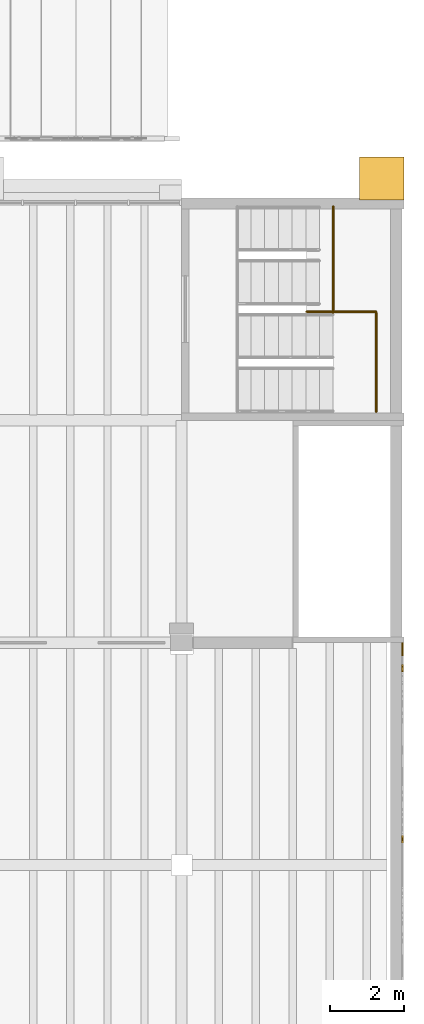
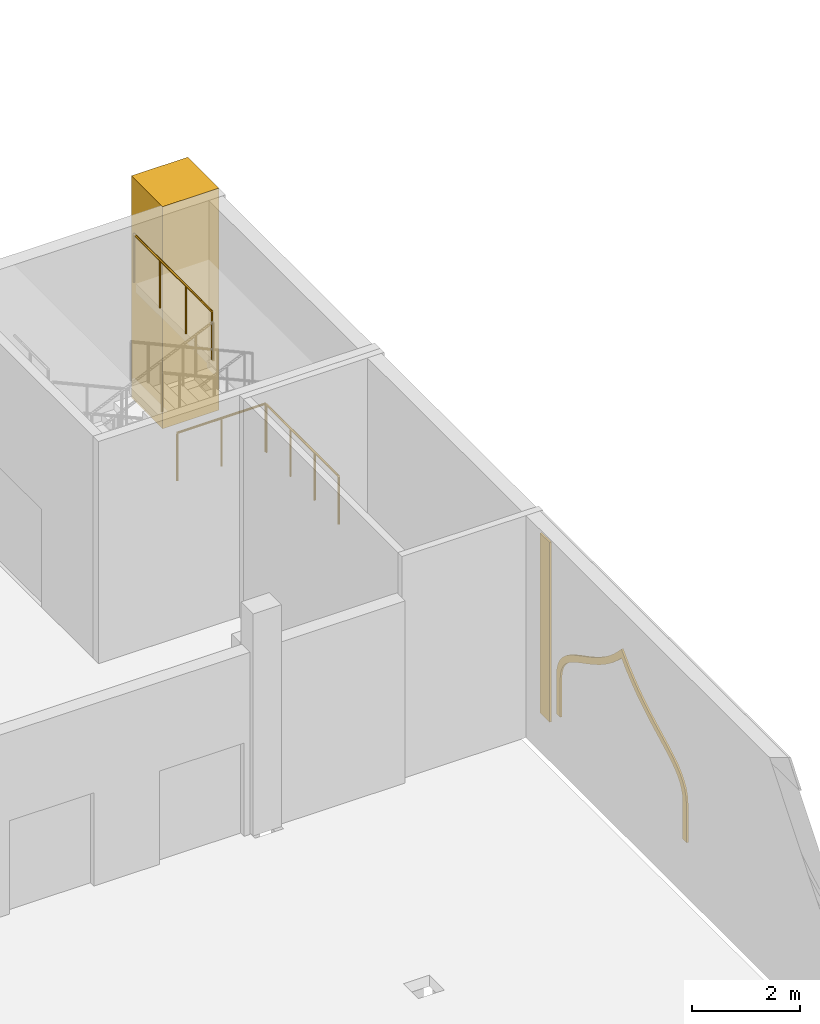
# One storey, part 68 of 80: 3 coverings, 3 railings.
"""IFC4 building model written with IfcOpenShell, lengths in metres."""

from ifc_helpers import new_model, si_unit, direction, frame, origin, origin_2d, place, context, subcontext, project, spatial, polyline, rectangle, circle, outline, extrude, material, layer, layer_set, type_object, element, save


model = new_model("IFC4")

# Units and contexts
model_context = context("Model", 3, precision=1e-05, world=origin(), true_north=direction((0.0, 1.0)))
body_context = subcontext(model_context, "Body", "Model", "MODEL_VIEW")
ifc_project = project(units=[si_unit("LENGTHUNIT", "METRE"), si_unit("AREAUNIT", "SQUARE_METRE"), si_unit("VOLUMEUNIT", "CUBIC_METRE"), si_unit("PLANEANGLEUNIT", "RADIAN"), si_unit("MASSUNIT", "GRAM", prefix="KILO")], contexts=[model_context])

# Site, building, storey
site_placement = place(None, origin())
site = spatial("IfcSite", under=ifc_project, at=site_placement, CompositionType="ELEMENT")
building_placement = place(site_placement, origin())
building = spatial("IfcBuilding", under=site, at=building_placement, Name="Saffron Lane Theatres", CompositionType="ELEMENT")
storey_placement = place(building_placement, frame((0.0, 0.0, 7.0)))
storey = spatial("IfcBuildingStorey", under=building, at=storey_placement, Name="L01", CompositionType="ELEMENT", Elevation=7.0)

# Coverings
ifc_material_1 = material(Name="Face brick cladding, pale buff", Category="masonry")
ifc_layer_1 = layer(ifc_material_1, 0.0400390625)
ifc_layer_set_1 = layer_set([ifc_layer_1], Name="Face brick cladding, pale buff")
covering_type_1 = type_object("IfcCoveringType", Name="EX-FACE BRICK SKIN PALE BUFF 40", PredefinedType="CLADDING", material=ifc_layer_set_1)
covering_1_placement = place(storey_placement, frame((65.9599609375, 17.824951171875, 0.4501953125), z_axis=(0.0, 0.0, 1.0), x_axis=(0.0, 1.0, 0.0)))
element("IfcCovering", 1, at=covering_1_placement, inside=storey, type_object=covering_type_1, Name="Face brick cladding, pale buff L01", PredefinedType="CLADDING", context=body_context, shape_type="SweptSolid", body=[
    extrude(rectangle(XDim=0.35009765625, YDim=0.0400390625, at=origin_2d()), origin(), (0.0, 0.0, 1.0), 4.050048828125),
])
ifc_material_2 = material(Name="Face brick cladding, pale buff", Category="masonry")
ifc_layer_2 = layer(ifc_material_2, 0.0400390625)
ifc_layer_set_2 = layer_set([ifc_layer_2], Name="Face brick cladding, pale buff")
covering_type_2 = type_object("IfcCoveringType", Name="EX-NICHE FRAME RING FACE BRICK PALE BUFF", PredefinedType="CLADDING", material=ifc_layer_set_2)
covering_2_placement = place(storey_placement, frame((65.93994140625, 12.60009765625, 1.653076171875), z_axis=(-1.0, 0.0, 0.0), x_axis=(0.0, 0.095154505176, 0.99546251569)))
element("IfcCovering", 2, at=covering_2_placement, inside=storey, type_object=covering_type_2, Name="Court wall niche ring", PredefinedType="CLADDING", context=body_context, shape_type="SweptSolid", body=[
    extrude(outline(polyline([(0.0, 0.0), (0.16677235193015855, 0.0), (0.32038519033646295, 0.031669323556456144), (0.4590908231729695, 0.0946845225504361), (0.5839400100746629, 0.18207805987853046), (0.6988087674501847, 0.29078164592633693), (0.8063811785848192, 0.41808617932202474), (0.9105332598872079, 0.5609233704511917), (1.0145852688434076, 0.715542293337932), (1.1229582587475542, 0.8820108542171596), (1.235986399755671, 1.0561278015551183), (1.3596293574845506, 1.2360971941389518), (1.4949396785753588, 1.4201016466816205), (1.6451107430752343, 1.605628628491308), (1.814574326315404, 1.7902924863151148), (2.003537721012975, 1.9711303639033744), (2.2729968091763255, 2.193569745407349), (2.0505574276723513, 2.4630288335707), (1.899274845327305, 2.6763902236703863), (1.7678637717255044, 2.889814158986441), (1.6555593682210754, 3.100430707590657), (1.5575581621969465, 3.3067369972840184), (1.4702486141594036, 3.506870967624936), (1.3923458666636273, 3.700219675493003), (1.317379170324789, 3.8832323396046915), (1.2445032712188282, 4.0547634889973745), (1.169297116051609, 4.2147452174361355), (1.0877899770868467, 4.36012353135603), (0.995594754147862, 4.488619997875076), (0.8895627423420656, 4.598083061550211), (0.7652139171713173, 4.685262158136471), (0.6204753514645593, 4.7464313797445), (0.45672303998189034, 4.778025649041314), (-0.39243370558018253, 4.859195043837689), (-0.40574511462950213, 4.719937226090961), (0.4373358099139526, 4.639348608303719), (0.5794010143725186, 4.6117893989657395), (0.6963212548449152, 4.562353659948372), (0.797934000362758, 4.491327312240725), (0.8884637335401684, 4.39928755883957), (0.9690326942594091, 4.285146112980101), (1.0446873879782967, 4.150382615780968), (1.1174078175464282, 3.997750843768552), (1.1885949958104496, 3.8290789042669844), (1.2617335848251565, 3.6474672530019423), (1.3414876707254295, 3.4529605651279733), (1.4296174546004858, 3.2485788810925684), (1.5307995316284795, 3.0370634683788333), (1.6466547164164358, 2.819976170389789), (1.7812806141395585, 2.5991325854062923), (1.938844523214147, 2.3770774102314363), (2.075897175332353, 2.2124101515836108), (1.9101309078826303, 2.076688819070955), (1.7133529351514076, 1.8885045590687133), (1.5393271251287282, 1.6971644461491542), (1.3844437253270598, 1.505956571687059), (1.2450232900177747, 1.3174399285349754), (1.1197702397189615, 1.1334551330603078), (1.004611987341964, 0.9575797716393137), (0.8983923398870634, 0.7931126576838663), (0.7965401355408397, 0.6409812474023956), (0.6962211824987262, 0.5048900046100767), (0.5964061651999217, 0.3868993474346942), (0.4957655510450578, 0.29106041889072065), (0.389345758897779, 0.21686570922248327), (0.27611747319728386, 0.1663756365577664), (0.15194913565091217, 0.13998512926278028), (0.00723558803070144, 0.13983859475586066), (-0.8358453365127533, 0.22042721254310266), (-0.8491567455620729, 0.08116939479637461), (0.0, 0.0)])), origin(), (0.0, 0.0, -1.0), 0.0400390625),
])
ifc_material_3 = material(Name="Masonry sandstone", Category="masonry")
ifc_layer_3 = layer(ifc_material_3, 1.199951171875)
ifc_layer_set_3 = layer_set([ifc_layer_3], Name="Masonry sandstone")
covering_type_3 = type_object("IfcCoveringType", Name="EX-REAR BUTTRESS PIER SANDSTONE 1200", PredefinedType="CLADDING", material=ifc_layer_set_3)
covering_3_placement = place(storey_placement, frame((65.39990234375, 30.52490234375, 0.0), z_axis=(0.0, 0.0, 1.0), x_axis=(1.0, 0.0, 0.0)))
element("IfcCovering", 3, at=covering_3_placement, inside=storey, type_object=covering_type_3, Name="Rear buttress pier L01", PredefinedType="CLADDING", context=body_context, shape_type="SweptSolid", body=[
    extrude(rectangle(XDim=1.199951171875, YDim=1.14990234375, at=origin_2d()), origin(), (0.0, 0.0, 1.0), 5.0),
])

# Railings
ifc_material_4 = material(Name="Steel Grade 350", Category="steel")
railing_type = type_object("IfcRailingType", Name="VC-GUARD 1100", PredefinedType="GUARDRAIL", material=ifc_material_4)
railing_1_placement = place(storey_placement, frame((65.25, 26.89990234375, 1.166748046875)))
element("IfcRailing", 4, at=railing_1_placement, inside=storey, type_object=railing_type, Name="Studio North Stair landing guard 2N1s", PredefinedType="GUARDRAIL", context=body_context, shape_type="SweptSolid", body=[
    extrude(circle(Radius=0.02392578125, at=origin_2d()), frame((0.0, 0.0, 1.076171875), z_axis=(0.0, -1.0, 0.0), x_axis=(1.0, 0.0, 0.0)), (0.0, 0.0, 1.0), 2.669921875),
    extrude(circle(Radius=0.02099609375, at=origin_2d()), origin(), (0.0, 0.0, 1.0), 1.052001953125),
    extrude(circle(Radius=0.02099609375, at=origin_2d()), frame((0.0, -0.889892578125, 0.0)), (0.0, 0.0, 1.0), 1.052001953125),
    extrude(circle(Radius=0.02099609375, at=origin_2d()), frame((0.0, -1.780029296875, 0.0)), (0.0, 0.0, 1.0), 1.052001953125),
    extrude(circle(Radius=0.02099609375, at=origin_2d()), frame((0.0, -2.669921875, 0.0)), (0.0, 0.0, 1.0), 1.052001953125),
])
railing_2_placement = place(storey_placement, frame((63.3701171875, 26.929931640625, 1.166748046875)))
element("IfcRailing", 5, at=railing_2_placement, inside=storey, type_object=railing_type, Name="Studio North Stair landing guard 2N1e", PredefinedType="GUARDRAIL", context=body_context, shape_type="SweptSolid", body=[
    extrude(circle(Radius=0.02392578125, at=origin_2d()), frame((0.0, 0.0, 1.076171875), z_axis=(1.0, 0.0, 0.0), x_axis=(0.0, 1.0, 0.0)), (0.0, 0.0, 1.0), 1.8798828125),
    extrude(circle(Radius=0.02099609375, at=origin_2d()), origin(), (0.0, 0.0, 1.0), 1.052001953125),
    extrude(circle(Radius=0.02099609375, at=origin_2d()), frame((0.93994140625, 0.0, 0.0)), (0.0, 0.0, 1.0), 1.052001953125),
    extrude(circle(Radius=0.02099609375, at=origin_2d()), frame((1.8798828125, 0.0, 0.0)), (0.0, 0.0, 1.0), 1.052001953125),
])
railing_3_placement = place(storey_placement, frame((64.090087890625, 29.77001953125, 3.666748046875)))
element("IfcRailing", 6, at=railing_3_placement, inside=storey, type_object=railing_type, Name="Studio North Stair landing guard 2N2s", PredefinedType="GUARDRAIL", context=body_context, shape_type="SweptSolid", body=[
    extrude(circle(Radius=0.02392578125, at=origin_2d()), frame((0.0, 0.0, 1.076171875), z_axis=(0.0, -1.0, 0.0), x_axis=(1.0, 0.0, 0.0)), (0.0, 0.0, 1.0), 2.8701171875),
    extrude(circle(Radius=0.02099609375, at=origin_2d()), origin(), (0.0, 0.0, 1.0), 1.052001953125),
    extrude(circle(Radius=0.02099609375, at=origin_2d()), frame((0.0, -0.956787109375, 0.0)), (0.0, 0.0, 1.0), 1.052001953125),
    extrude(circle(Radius=0.02099609375, at=origin_2d()), frame((0.0, -1.913330078125, 0.0)), (0.0, 0.0, 1.0), 1.052001953125),
    extrude(circle(Radius=0.02099609375, at=origin_2d()), frame((0.0, -2.8701171875, 0.0)), (0.0, 0.0, 1.0), 1.052001953125),
])

save(model, "model.ifc")
